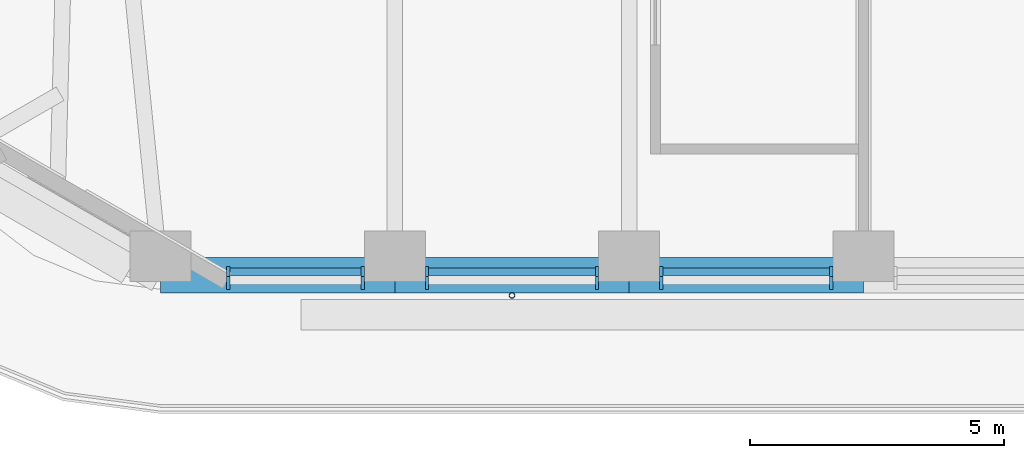
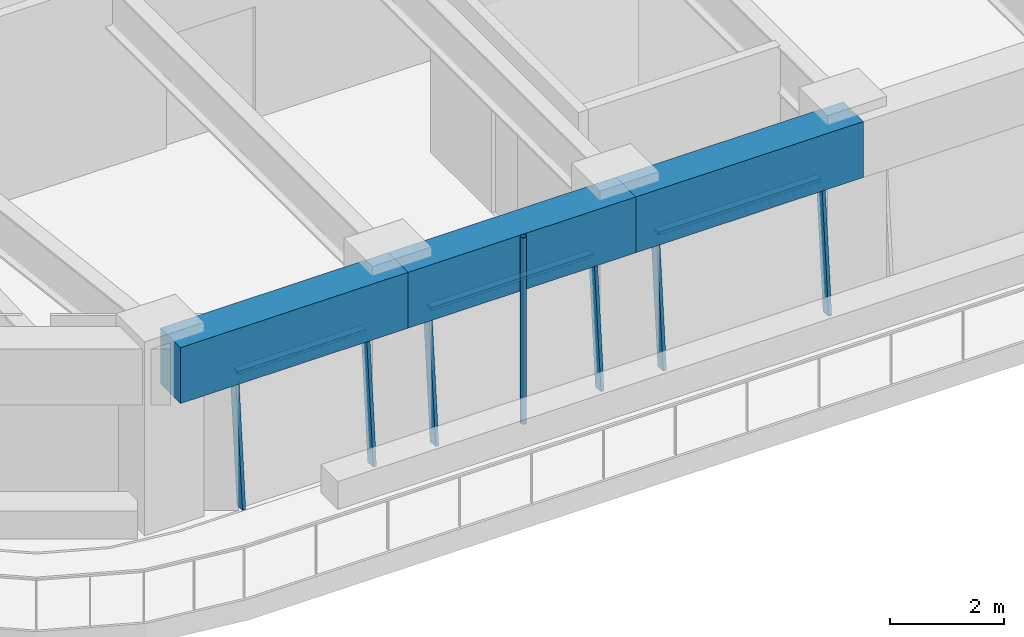
# One storey, part 2 of 20: 10 members, 3 beams, 3 elements without a shape of their own.
"""IFC4 building model written with IfcOpenShell, lengths in metres."""

from ifc_helpers import new_model, si_unit, direction, frame, origin, origin_2d, place, context, subcontext, project, spatial, rectangle, hollow_circle, extrude, material, material_profile, profile_set, type_object, element, aggregate, save


model = new_model("IFC4")

# Units and contexts
model_context = context("Model", 3, precision=1e-05, world=origin(), true_north=direction((0.0, 1.0)))
body_context = subcontext(model_context, "Body", "Model", "MODEL_VIEW")
ifc_project = project(units=[si_unit("LENGTHUNIT", "METRE"), si_unit("AREAUNIT", "SQUARE_METRE"), si_unit("VOLUMEUNIT", "CUBIC_METRE"), si_unit("PLANEANGLEUNIT", "RADIAN"), si_unit("MASSUNIT", "GRAM", prefix="KILO")], contexts=[model_context])

# Site, building, storey
site_placement = place(None, origin())
site = spatial("IfcSite", under=ifc_project, at=site_placement, CompositionType="ELEMENT")
building_placement = place(site_placement, origin())
building = spatial("IfcBuilding", under=site, at=building_placement, Name="Tarfa Lantern Tower", CompositionType="ELEMENT")
storey_placement = place(building_placement, frame((0.0, 0.0, 265.89990234375)))
storey = spatial("IfcBuildingStorey", under=building, at=storey_placement, Name="L60", CompositionType="ELEMENT", Elevation=265.89990234375)

# Curtain wall, members
ifc_material_1 = material(Name="Aluminium framed curtain wall", Category="aluminium")
curtain_wall_type = type_object("IfcCurtainWallType", Name="CW3 CANTED GLAZING HIGH ZONE 2800", PredefinedType="USERDEFINED", material=ifc_material_1)
curtain_wall_1_placement = place(storey_placement, origin())
curtain_wall_1 = element("IfcCurtainWall", 1, at=curtain_wall_1_placement, inside=storey, type_object=curtain_wall_type, Name="CW3 S L60", ObjectType="CURTAIN WALL", PredefinedType="USERDEFINED")
ifc_material_2 = material(Name="Aluminium mullion", Category="aluminium")
ifc_material_profile_1 = material_profile(ifc_material_2, rectangle(XDim=0.06494140625, YDim=0.199951171875, at=origin_2d()), Name="AL MULLION 65x200")
ifc_profile_set_1 = profile_set([ifc_material_profile_1], Name="Aluminium mullion")
member_type_1 = type_object("IfcMemberType", Name="CWM1 MULLION 65x200", PredefinedType="MULLION", material=ifc_profile_set_1)
member_1_placement = place(storey_placement, frame((-12.52392578125, -28.89990234375, 0.0), z_axis=(0.0, 0.088930399417, 0.996037842685), x_axis=(-1.0, 0.0, 0.0)))
member_1 = element("IfcMember", 2, at=member_1_placement, type_object=member_type_1, Name="CW3 mullion 1", PredefinedType="MULLION", context=body_context, shape_type="SweptSolid", body=[
    extrude(rectangle(XDim=0.06494140625, YDim=0.199951171875, at=origin_2d()), origin(), (0.0, 0.0, 1.0), 2.811279296875),
])
member_2_placement = place(storey_placement, frame((-9.8701171875, -28.89990234375, 0.0), z_axis=(0.0, 0.088930399417, 0.996037842685), x_axis=(-1.0, 0.0, 0.0)))
member_2 = element("IfcMember", 3, at=member_2_placement, type_object=member_type_1, Name="CW3 mullion 2", PredefinedType="MULLION", context=body_context, shape_type="SweptSolid", body=[
    extrude(rectangle(XDim=0.06494140625, YDim=0.199951171875, at=origin_2d()), origin(), (0.0, 0.0, 1.0), 2.811279296875),
])

curtain_wall_2_placement = place(storey_placement, origin())
curtain_wall_2 = element("IfcCurtainWall", 4, at=curtain_wall_2_placement, inside=storey, type_object=curtain_wall_type, Name="CW3 S L60", ObjectType="CURTAIN WALL", PredefinedType="USERDEFINED")
member_3_placement = place(storey_placement, frame((-8.605224609375, -28.89990234375, 0.0), z_axis=(0.0, 0.088930399417, 0.996037842685), x_axis=(-1.0, 0.0, 0.0)))
member_3 = element("IfcMember", 5, at=member_3_placement, type_object=member_type_1, Name="CW3 mullion 1", PredefinedType="MULLION", context=body_context, shape_type="SweptSolid", body=[
    extrude(rectangle(XDim=0.06494140625, YDim=0.199951171875, at=origin_2d()), origin(), (0.0, 0.0, 1.0), 2.811279296875),
])
member_4_placement = place(storey_placement, frame((-5.251220703125, -28.89990234375, 0.0), z_axis=(0.0, 0.088930399417, 0.996037842685), x_axis=(-1.0, 0.0, 0.0)))
member_4 = element("IfcMember", 6, at=member_4_placement, type_object=member_type_1, Name="CW3 mullion 2", PredefinedType="MULLION", context=body_context, shape_type="SweptSolid", body=[
    extrude(rectangle(XDim=0.06494140625, YDim=0.199951171875, at=origin_2d()), origin(), (0.0, 0.0, 1.0), 2.811279296875),
])

curtain_wall_3_placement = place(storey_placement, origin())
curtain_wall_3 = element("IfcCurtainWall", 7, at=curtain_wall_3_placement, inside=storey, type_object=curtain_wall_type, Name="CW3 S L60", ObjectType="CURTAIN WALL", PredefinedType="USERDEFINED")
member_5_placement = place(storey_placement, frame((-3.986328125, -28.89990234375, 0.0), z_axis=(0.0, 0.088930399417, 0.996037842685), x_axis=(-1.0, 0.0, 0.0)))
member_5 = element("IfcMember", 8, at=member_5_placement, type_object=member_type_1, Name="CW3 mullion 1", PredefinedType="MULLION", context=body_context, shape_type="SweptSolid", body=[
    extrude(rectangle(XDim=0.06494140625, YDim=0.199951171875, at=origin_2d()), origin(), (0.0, 0.0, 1.0), 2.811279296875),
])
member_6_placement = place(storey_placement, frame((-0.632568359375, -28.89990234375, 0.0), z_axis=(0.0, 0.088930399417, 0.996037842685), x_axis=(-1.0, 0.0, 0.0)))
member_6 = element("IfcMember", 9, at=member_6_placement, type_object=member_type_1, Name="CW3 mullion 2", PredefinedType="MULLION", context=body_context, shape_type="SweptSolid", body=[
    extrude(rectangle(XDim=0.06494140625, YDim=0.199951171875, at=origin_2d()), origin(), (0.0, 0.0, 1.0), 2.811279296875),
])

# Member
ifc_material_3 = material(Name="Aluminium transom", Category="aluminium")
ifc_material_profile_2 = material_profile(ifc_material_3, rectangle(XDim=0.14990234375, YDim=0.06494140625, at=origin_2d()), Name="AL TRANSOM 150x65")
ifc_profile_set_2 = profile_set([ifc_material_profile_2], Name="Aluminium transom")
member_type_2 = type_object("IfcMemberType", Name="CWT1 TRANSOM 150x65", PredefinedType="USERDEFINED", material=ifc_profile_set_2)
member_7_placement = place(storey_placement, frame((-12.491455078125, -28.65283203125, 2.767578125), z_axis=(1.0, 0.0, 0.0), x_axis=(0.0, 1.0, 0.0)))
member_7 = element("IfcMember", 10, at=member_7_placement, type_object=member_type_2, Name="CW3 transom 1.2", ObjectType="TRANSOM", PredefinedType="USERDEFINED", context=body_context, shape_type="SweptSolid", body=[
    extrude(rectangle(XDim=0.14990234375, YDim=0.06494140625, at=origin_2d()), origin(), (0.0, 0.0, 1.0), 2.5888671875),
])

aggregate(curtain_wall_1, [member_1, member_2, member_7])

member_8_placement = place(storey_placement, frame((-8.572509765625, -28.65283203125, 2.767578125), z_axis=(1.0, 0.0, 0.0), x_axis=(0.0, 1.0, 0.0)))
member_8 = element("IfcMember", 11, at=member_8_placement, type_object=member_type_2, Name="CW3 transom 1.2", ObjectType="TRANSOM", PredefinedType="USERDEFINED", context=body_context, shape_type="SweptSolid", body=[
    extrude(rectangle(XDim=0.14990234375, YDim=0.06494140625, at=origin_2d()), origin(), (0.0, 0.0, 1.0), 3.288818359375),
])

aggregate(curtain_wall_2, [member_3, member_4, member_8])

member_9_placement = place(storey_placement, frame((-3.953857421875, -28.65283203125, 2.767578125), z_axis=(1.0, 0.0, 0.0), x_axis=(0.0, 1.0, 0.0)))
member_9 = element("IfcMember", 12, at=member_9_placement, type_object=member_type_2, Name="CW3 transom 1.2", ObjectType="TRANSOM", PredefinedType="USERDEFINED", context=body_context, shape_type="SweptSolid", body=[
    extrude(rectangle(XDim=0.14990234375, YDim=0.06494140625, at=origin_2d()), origin(), (0.0, 0.0, 1.0), 3.288818359375),
])

aggregate(curtain_wall_3, [member_5, member_6, member_9])

# Beams
ifc_material_4 = material(Name="Concrete C80/95", Category="concrete")
ifc_material_profile_3 = material_profile(ifc_material_4, rectangle(XDim=0.699951171875, YDim=1.199951171875, at=origin_2d()), Name="RC 700x1200")
ifc_profile_set_3 = profile_set([ifc_material_profile_3], Name="Concrete C80/95")
beam_type = type_object("IfcBeamType", Name="EB3 RC 700x1200", PredefinedType="SPANDREL", material=ifc_profile_set_3)
beam_1_placement = place(storey_placement, frame((-13.8564453125, -28.719970703125, 3.400146484375), z_axis=(1.0, 0.0, 0.0), x_axis=(0.0, 1.0, 0.0)))
element("IfcBeam", 13, at=beam_1_placement, inside=storey, type_object=beam_type, Name="Edge beam S0", PredefinedType="SPANDREL", context=body_context, shape_type="SweptSolid", body=[
    extrude(rectangle(XDim=0.699951171875, YDim=1.199951171875, at=origin_2d()), origin(), (0.0, 0.0, 1.0), 4.618896484375),
])
beam_2_placement = place(storey_placement, frame((-9.237548828125, -28.719970703125, 3.400146484375), z_axis=(1.0, 0.0, 0.0), x_axis=(0.0, 1.0, 0.0)))
element("IfcBeam", 14, at=beam_2_placement, inside=storey, type_object=beam_type, Name="Edge beam S1", PredefinedType="SPANDREL", context=body_context, shape_type="SweptSolid", body=[
    extrude(rectangle(XDim=0.699951171875, YDim=1.199951171875, at=origin_2d()), origin(), (0.0, 0.0, 1.0), 4.61865234375),
])
beam_3_placement = place(storey_placement, frame((-4.618896484375, -28.719970703125, 3.400146484375), z_axis=(1.0, 0.0, 0.0), x_axis=(0.0, 1.0, 0.0)))
element("IfcBeam", 15, at=beam_3_placement, inside=storey, type_object=beam_type, Name="Edge beam S2", PredefinedType="SPANDREL", context=body_context, shape_type="SweptSolid", body=[
    extrude(rectangle(XDim=0.699951171875, YDim=1.199951171875, at=origin_2d()), origin(), (0.0, 0.0, 1.0), 4.618896484375),
])

# Member
ifc_material_5 = material(Name="Steel S355", Category="steel")
ifc_material_profile_4 = material_profile(ifc_material_5, hollow_circle(Radius=0.05712890625, WallThickness=0.00634765625, at=origin_2d()), Name="CHS114.3x6.3")
ifc_profile_set_4 = profile_set([ifc_material_profile_4], Name="Steel S355")
member_type_3 = type_object("IfcMemberType", Name="TR1 GREEN WALL TRELLIS CHS114.3x6.3", PredefinedType="USERDEFINED", material=ifc_profile_set_4)
member_10_placement = place(storey_placement, frame((-6.92822265625, -29.1201171875, 0.0), z_axis=(0.0, 0.0, 1.0), x_axis=(1.0, 0.0, 0.0)))
element("IfcMember", 16, at=member_10_placement, inside=storey, type_object=member_type_3, Name="Trellis post S 1", ObjectType="TRELLIS", PredefinedType="USERDEFINED", context=body_context, shape_type="SweptSolid", body=[
    extrude(hollow_circle(Radius=0.05712890625, WallThickness=0.00634765625, at=origin_2d()), origin(), (0.0, 0.0, 1.0), 4.0),
])

save(model, "model.ifc")
